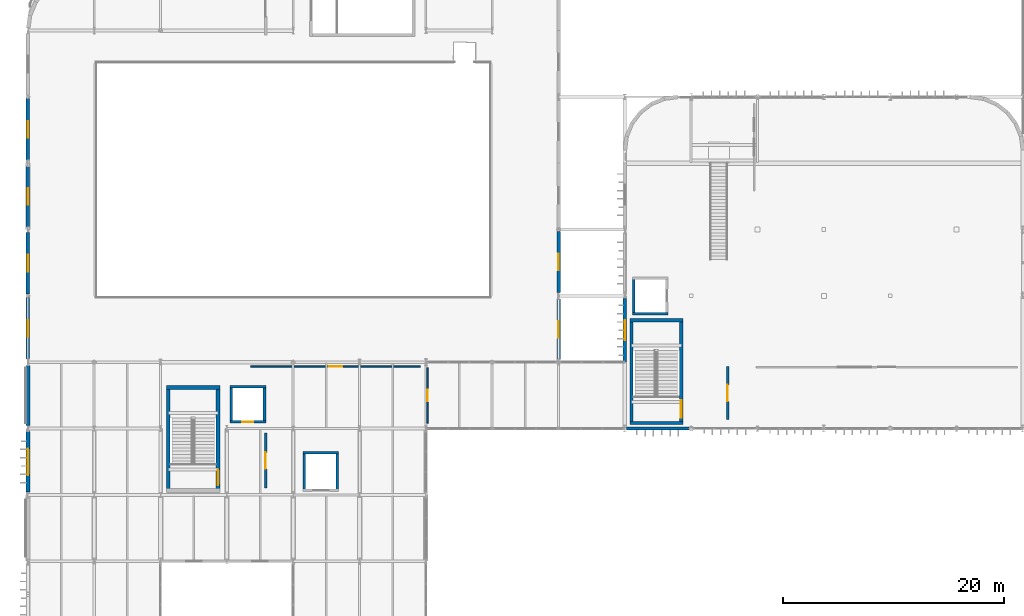
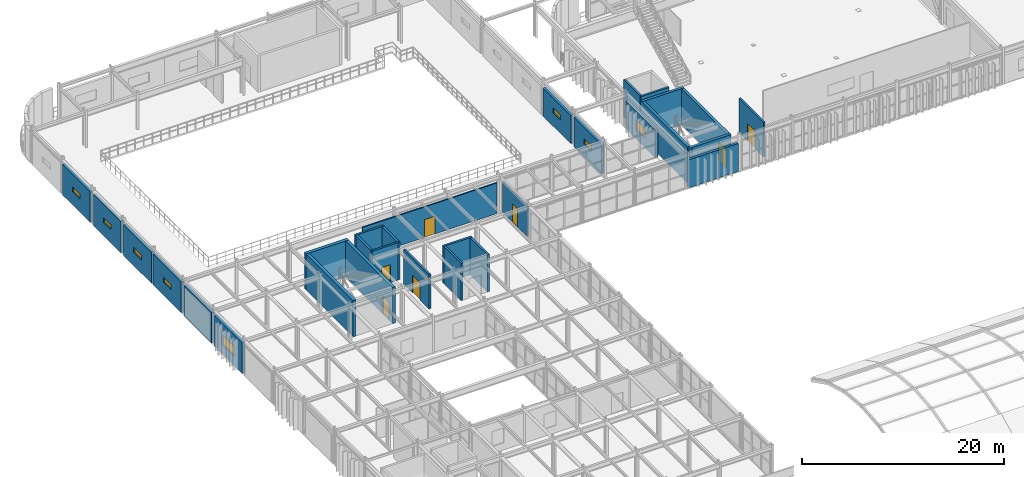
# One storey, part 58 of 84: 30 walls, 8 windows, 7 doors, 15 openings.
"""IFC4 building model written with IfcOpenShell, lengths in metres."""

import ifcopenshell
import ifcopenshell.guid

model = None  # the IFC model being written
_history = None  # IfcOwnerHistory: only IFC2X3 demands one
_inside = {}  # id of a spatial element -> (the spatial element, [elements in it])
_under = {}  # id of a project, library or spatial element -> (it, [spatial elements below it])
_declared = {}  # id of a project -> (the project, [libraries it declares])
_typed = {}  # id of a type object -> (the type object, [elements of that type])
_made_of = {}  # id of a material, layer set ... -> (it, [elements and type objects made of it])


def new_model(schema):
    """Start an empty IFC model of exactly this schema.

    Asked for "IFC4X3", IfcOpenShell would pick the latest addendum, in which some entities
    have other attributes; the version numbers below select the first issue.
    IFC2X3 requires an IfcOwnerHistory on every rooted entity: one is made here for all.
    """
    global model, _history
    if schema == "IFC4X3":
        model = ifcopenshell.file(schema_version=(4, 3, 0, 0))
    else:
        model = ifcopenshell.file(schema=schema)
    _inside.clear()
    _under.clear()
    _declared.clear()
    _typed.clear()
    _made_of.clear()
    _history = None
    if model.schema == "IFC2X3":
        org = make("IfcOrganization", Name="unknown")
        user = make(
            "IfcPersonAndOrganization",
            ThePerson=make("IfcPerson", FamilyName="unknown"),
            TheOrganization=org,
        )
        app = make(
            "IfcApplication",
            ApplicationDeveloper=org,
            Version="unknown",
            ApplicationFullName="unknown",
            ApplicationIdentifier="unknown",
        )
        _history = make(
            "IfcOwnerHistory",
            OwningUser=user,
            OwningApplication=app,
            ChangeAction="ADDED",
            CreationDate=0,
        )
    return model


def make(cls, **values):
    """One entity of the class cls with the attributes given. An attribute that is None is left unset."""
    return model.create_entity(
        cls, **{name: value for name, value in values.items() if value is not None}
    )


def rooted(cls, **values):
    """An entity with a GlobalId (a new one), such as an element, a storey or a relation."""
    return make(cls, GlobalId=ifcopenshell.guid.new(), OwnerHistory=_history, **values)


def si_unit(unit_type, name, prefix=None):
    """IfcSIUnit, for example si_unit("LENGTHUNIT", "METRE", prefix="MILLI")."""
    return make("IfcSIUnit", UnitType=unit_type, Prefix=prefix, Name=name)


def assignment(units):
    """IfcUnitAssignment: the units of a project."""
    return None if units is None else make("IfcUnitAssignment", Units=units)


def point(xyz):
    """IfcCartesianPoint."""
    return None if xyz is None else make("IfcCartesianPoint", Coordinates=xyz)


def direction(xyz):
    """IfcDirection."""
    return None if xyz is None else make("IfcDirection", DirectionRatios=xyz)


def frame(location, z_axis=None, x_axis=None):
    """IfcAxis2Placement3D, a coordinate frame: its origin and axes. An axis left out is left unset."""
    return make(
        "IfcAxis2Placement3D",
        Location=point(location),
        Axis=direction(z_axis),
        RefDirection=direction(x_axis),
    )


def frame_2d(location, x_axis=None):
    """IfcAxis2Placement2D, a coordinate frame in the plane: its origin and x axis."""
    return make(
        "IfcAxis2Placement2D", Location=point(location), RefDirection=direction(x_axis)
    )


def origin():
    """The frame at (0, 0, 0) with its axes left unset."""
    return frame((0.0, 0.0, 0.0))


def place(relative_to, where):
    """IfcLocalPlacement: puts the frame where relative to a parent placement (None: the world)."""
    return make(
        "IfcLocalPlacement", PlacementRelTo=relative_to, RelativePlacement=where
    )


def context(
    kind, dimensions, precision=None, world=None, true_north=None, identifier=None
):
    """IfcGeometricRepresentationContext, for example the 3D "Model" context."""
    return make(
        "IfcGeometricRepresentationContext",
        ContextIdentifier=identifier,
        ContextType=kind,
        CoordinateSpaceDimension=dimensions,
        Precision=precision,
        WorldCoordinateSystem=world,
        TrueNorth=true_north,
    )


def subcontext(parent, identifier, kind, view, scale=None):
    """IfcGeometricRepresentationSubContext, for example "Body" below "Model"."""
    return make(
        "IfcGeometricRepresentationSubContext",
        ContextIdentifier=identifier,
        ContextType=kind,
        ParentContext=parent,
        TargetScale=scale,
        TargetView=view,
    )


def project(units=None, contexts=None):
    """IfcProject with its units and contexts."""
    return rooted(
        "IfcProject",
        Name="project",
        RepresentationContexts=contexts,
        UnitsInContext=assignment(units),
    )


def spatial(cls, under=None, at=None, **own):
    """A site, building, storey or space (cls), placed at a placement, below another one or the project."""
    s = rooted(cls, ObjectPlacement=at, **own)
    if under is not None:
        _under.setdefault(under.id(), (under, []))[1].append(s)
    return s


def profile(cls, at=None, kind="AREA", **sizes):
    """A parametric profile (cls). Its sizes go by their IFC names, for example OverallWidth=200.0."""
    return make(cls, ProfileType=kind, Position=at, **sizes)


def rectangle(**sizes):
    """IfcRectangleProfileDef."""
    return profile("IfcRectangleProfileDef", **sizes)


def extrude(swept, where, along, depth):
    """IfcExtrudedAreaSolid: the profile swept, set in the frame where, extruded along a direction by depth."""
    return make(
        "IfcExtrudedAreaSolid",
        SweptArea=swept,
        Position=where,
        ExtrudedDirection=direction(along),
        Depth=depth,
    )


def shape(context_of_items, identifier, shape_type, items):
    """IfcShapeRepresentation: the items that make up one representation, for example the "Body"."""
    return make(
        "IfcShapeRepresentation",
        ContextOfItems=context_of_items,
        RepresentationIdentifier=identifier,
        RepresentationType=shape_type,
        Items=items,
    )


def material(Name=None, Category=None):
    """IfcMaterial."""
    return make("IfcMaterial", Name=Name, Category=Category)


def layer(
    of_material, thickness, ventilated=None, Name=None, Category=None, Priority=None
):
    """IfcMaterialLayer: one layer of a wall or slab, of a material (None: an air gap)."""
    return make(
        "IfcMaterialLayer",
        Material=of_material,
        LayerThickness=thickness,
        IsVentilated=ventilated,
        Name=Name,
        Category=Category,
        Priority=Priority,
    )


def layer_set(layers, Name=None):
    """IfcMaterialLayerSet."""
    return make("IfcMaterialLayerSet", MaterialLayers=layers, LayerSetName=Name)


def made_of(thing, what):
    """Note that an element or type object is made of a material, layer set ...; save() writes the relation."""
    if what is not None:
        _made_of.setdefault(what.id(), (what, []))[1].append(thing)
    return thing


def type_object(cls, material=None, **own):
    """A type object (cls), such as IfcWallType, which elements share."""
    return made_of(rooted(cls, **own), material)


def element(
    cls,
    number,
    at=None,
    inside=None,
    cuts=None,
    type_object=None,
    material=None,
    context=None,
    identifier="Body",
    shape_type=None,
    held_by="IfcProductDefinitionShape",
    body=None,
    shapes=None,
    **own,
):
    """One element of the class cls, such as IfcWall. Its Tag is "e" and its number.

    at: its placement. inside: the storey or other place that contains it. cuts: it is an
    opening in that element (IfcRelVoidsElement). A single representation is given by context,
    identifier, shape_type and body (its items); several are given by shapes. held_by: the class
    of the entity that holds the representations. save() writes the other relations.
    """
    e = rooted(cls, Tag="e%d" % number, ObjectPlacement=at, **own)
    if body is not None:
        shapes = [shape(context, identifier, shape_type, body)]
    if shapes is not None:
        e.Representation = make(held_by, Representations=shapes)
    if inside is not None:
        _inside.setdefault(inside.id(), (inside, []))[1].append(e)
    if cuts is not None:
        rooted(
            "IfcRelVoidsElement", RelatingBuildingElement=cuts, RelatedOpeningElement=e
        )
    if type_object is not None:
        _typed.setdefault(type_object.id(), (type_object, []))[1].append(e)
    return made_of(e, material)


def fill(opening, filler):
    """IfcRelFillsElement: the door or window that sits in an opening."""
    return rooted(
        "IfcRelFillsElement",
        RelatingOpeningElement=opening,
        RelatedBuildingElement=filler,
    )


def aggregate(whole, parts):
    """IfcRelAggregates: a whole, such as a stair, and the parts it consists of."""
    return rooted("IfcRelAggregates", RelatingObject=whole, RelatedObjects=parts)


def save(model, path):
    """Write the relations noted so far, then the file.

    IfcRelAggregates (storeys below a building ...), IfcRelContainedInSpatialStructure (elements
    in a storey), IfcRelDefinesByType, IfcRelAssociatesMaterial and IfcRelDeclares: one each for
    every whole, place, type object, material and project.
    """
    for whole, parts in _under.values():
        aggregate(whole, parts)
    for where, things in _inside.values():
        rooted(
            "IfcRelContainedInSpatialStructure",
            RelatedElements=things,
            RelatingStructure=where,
        )
    for kind, things in _typed.values():
        rooted("IfcRelDefinesByType", RelatedObjects=things, RelatingType=kind)
    for what, things in _made_of.values():
        rooted("IfcRelAssociatesMaterial", RelatedObjects=things, RelatingMaterial=what)
    for by, libraries in _declared.values():
        rooted("IfcRelDeclares", RelatingContext=by, RelatedDefinitions=libraries)
    model.write(path)


model = new_model("IFC4")

# Units and contexts
model_context = context("Model", 3, precision=1e-05, world=origin(), true_north=direction((0.0, 1.0)))
body_context = subcontext(model_context, "Body", "Model", "MODEL_VIEW")
ifc_project = project(units=[si_unit("LENGTHUNIT", "METRE"), si_unit("AREAUNIT", "SQUARE_METRE"), si_unit("VOLUMEUNIT", "CUBIC_METRE"), si_unit("PLANEANGLEUNIT", "RADIAN"), si_unit("MASSUNIT", "GRAM", prefix="KILO")], contexts=[model_context])

# Site, building, storey
site_placement = place(None, origin())
site = spatial("IfcSite", under=ifc_project, at=site_placement, CompositionType="ELEMENT")
building_placement = place(site_placement, origin())
building = spatial("IfcBuilding", under=site, at=building_placement, Name="Varnakota Square Police Headquarters", CompositionType="ELEMENT")
storey_placement = place(building_placement, frame((0.0, 0.0, 13.5)))
storey = spatial("IfcBuildingStorey", under=building, at=storey_placement, Name="L03", CompositionType="ELEMENT", Elevation=13.5)

# Wall, opening, door
ifc_material_1 = material(Name="Concrete M40", Category="concrete")
ifc_layer_1 = layer(ifc_material_1, 0.22998046875, Name="Concrete M40")
ifc_layer_set_1 = layer_set([ifc_layer_1], Name="Concrete M40")
wall_type_1 = type_object("IfcWallType", Name="WL-CORE-230", PredefinedType="SHEAR", material=ifc_layer_set_1)
wall_1_placement = place(storey_placement, frame((24.284912109375, 69.60009765625, 0.0), z_axis=(0.0, 0.0, 1.0), x_axis=(1.0, 0.0, 0.0)))
wall_1 = element("IfcWall", 1, at=wall_1_placement, inside=storey, type_object=wall_type_1, Name="Lift shaft wall LF-P3 L03 S", PredefinedType="SHEAR", context=body_context, shape_type="SweptSolid", body=[
    extrude(rectangle(XDim=3.22998046875, YDim=0.22998046875, at=frame_2d((1.614990234375, 0.0))), origin(), (0.0, 0.0, 1.0), 4.5),
])
opening_1_placement = place(wall_1_placement, frame((1.114990234375, 0.0, 0.0)))
opening_1 = element("IfcOpeningElement", 2, at=opening_1_placement, cuts=wall_1, Name="Opening LD035", PredefinedType="OPENING", context=body_context, shape_type="SweptSolid", body=[
    extrude(rectangle(XDim=1.0, YDim=2.14990234375, at=frame_2d((0.5, 1.074951171875))), frame((0.0, 0.125, 0.0), z_axis=(0.0, -1.0, 0.0), x_axis=(1.0, 0.0, 0.0)), (0.0, 0.0, 1.0), 0.25),
])
ifc_material_2 = material(Name="Brushed Grade 316 Stainless Steel", Category="steel")
door_type_1 = type_object("IfcDoorType", Name="DR-LD-PAX", OperationType="NOTDEFINED", PredefinedType="DOOR", material=ifc_material_2)
door_1_placement = place(opening_1_placement, origin())
door_1 = element("IfcDoor", 3, at=door_1_placement, inside=storey, type_object=door_type_1, Name="Lift sliding landing door LD035", OperationType="SLIDING_TO_LEFT", OverallHeight=2.14990234375, OverallWidth=1.0, PredefinedType="DOOR", context=body_context, shape_type="SweptSolid", body=[
    extrude(rectangle(XDim=1.0, YDim=2.14990234375, at=frame_2d((0.5, 1.074951171875))), frame((0.0, 0.02490234375, 0.0), z_axis=(0.0, -1.0, 0.0), x_axis=(1.0, 0.0, 0.0)), (0.0, 0.0, 1.0), 0.050048828125),
])
fill(opening_1, door_1)

# Walls
wall_2_placement = place(storey_placement, frame((27.39990234375, 69.485107421875, 0.0), z_axis=(0.0, 0.0, 1.0), x_axis=(0.0, 1.0, 0.0)))
element("IfcWall", 4, at=wall_2_placement, inside=storey, type_object=wall_type_1, Name="Lift shaft wall LF-P3 L03 E", PredefinedType="SHEAR", context=body_context, shape_type="SweptSolid", body=[
    extrude(rectangle(XDim=3.429931640625, YDim=0.22998046875, at=frame_2d((1.71484375, 0.0))), origin(), (0.0, 0.0, 1.0), 4.5),
])
wall_3_placement = place(storey_placement, frame((27.514892578125, 72.800048828125, 0.0), z_axis=(0.0, 0.0, 1.0), x_axis=(-1.0, 0.0, 0.0)))
element("IfcWall", 5, at=wall_3_placement, inside=storey, type_object=wall_type_1, Name="Lift shaft wall LF-P3 L03 N", PredefinedType="SHEAR", context=body_context, shape_type="SweptSolid", body=[
    extrude(rectangle(XDim=3.22998046875, YDim=0.22998046875, at=frame_2d((1.614990234375, 0.0))), origin(), (0.0, 0.0, 1.0), 4.5),
])
wall_4_placement = place(storey_placement, frame((24.39990234375, 72.9150390625, 0.0), z_axis=(0.0, 0.0, 1.0), x_axis=(0.0, -1.0, 0.0)))
element("IfcWall", 6, at=wall_4_placement, inside=storey, type_object=wall_type_1, Name="Lift shaft wall LF-P3 L03 W", PredefinedType="SHEAR", context=body_context, shape_type="SweptSolid", body=[
    extrude(rectangle(XDim=3.429931640625, YDim=0.22998046875, at=frame_2d((1.71484375, 0.0))), origin(), (0.0, 0.0, 1.0), 4.5),
])
wall_5_placement = place(storey_placement, frame((60.68505859375, 79.39990234375, 0.0), z_axis=(0.0, 0.0, 1.0), x_axis=(1.0, 0.0, 0.0)))
element("IfcWall", 7, at=wall_5_placement, inside=storey, type_object=wall_type_1, Name="Lift shaft wall LF-P4 L03 S", PredefinedType="SHEAR", context=body_context, shape_type="SweptSolid", body=[
    extrude(rectangle(XDim=3.22998046875, YDim=0.22998046875, at=frame_2d((1.614990234375, 0.0))), origin(), (0.0, 0.0, 1.0), 4.5),
])
wall_6_placement = place(storey_placement, frame((60.800048828125, 82.715087890625, 0.0), z_axis=(0.0, 0.0, 1.0), x_axis=(0.0, -1.0, 0.0)))
element("IfcWall", 8, at=wall_6_placement, inside=storey, type_object=wall_type_1, Name="Lift shaft wall LF-P4 L03 W", PredefinedType="SHEAR", context=body_context, shape_type="SweptSolid", body=[
    extrude(rectangle(XDim=3.43017578125, YDim=0.22998046875, at=frame_2d((1.715087890625, 0.0))), origin(), (0.0, 0.0, 1.0), 4.5),
])
wall_7_placement = place(storey_placement, frame((34.0, 63.284912109375, 0.0), z_axis=(0.0, 0.0, 1.0), x_axis=(0.0, 1.0, 0.0)))
element("IfcWall", 9, at=wall_7_placement, inside=storey, type_object=wall_type_1, Name="Lift shaft wall LF-G1 L03 E", PredefinedType="SHEAR", context=body_context, shape_type="SweptSolid", body=[
    extrude(rectangle(XDim=3.630126953125, YDim=0.22998046875, at=frame_2d((1.81494140625, 0.0))), origin(), (0.0, 0.0, 1.0), 4.5),
])
wall_8_placement = place(storey_placement, frame((34.114990234375, 66.800048828125, 0.0), z_axis=(0.0, 0.0, 1.0), x_axis=(-1.0, 0.0, 0.0)))
element("IfcWall", 10, at=wall_8_placement, inside=storey, type_object=wall_type_1, Name="Lift shaft wall LF-G1 L03 N", PredefinedType="SHEAR", context=body_context, shape_type="SweptSolid", body=[
    extrude(rectangle(XDim=3.22998046875, YDim=0.22998046875, at=frame_2d((1.614990234375, 0.0))), origin(), (0.0, 0.0, 1.0), 4.5),
])
wall_9_placement = place(storey_placement, frame((31.0, 66.9150390625, 0.0), z_axis=(0.0, 0.0, 1.0), x_axis=(0.0, -1.0, 0.0)))
element("IfcWall", 11, at=wall_9_placement, inside=storey, type_object=wall_type_1, Name="Lift shaft wall LF-G1 L03 W", PredefinedType="SHEAR", context=body_context, shape_type="SweptSolid", body=[
    extrude(rectangle(XDim=3.630126953125, YDim=0.22998046875, at=frame_2d((1.81494140625, 0.0))), origin(), (0.0, 0.0, 1.0), 4.5),
])
ifc_material_3 = material(Name="Concrete M50", Category="concrete")
ifc_layer_2 = layer(ifc_material_3, 0.31005859375, Name="Concrete M50")
ifc_layer_set_2 = layer_set([ifc_layer_2], Name="Concrete M50")
wall_type_2 = type_object("IfcWallType", Name="WL-CORE-310", PredefinedType="SHEAR", material=ifc_layer_set_2)
wall_10_placement = place(storey_placement, frame((60.445068359375, 69.5, 0.0), z_axis=(0.0, 0.0, 1.0), x_axis=(1.0, 0.0, 0.0)))
element("IfcWall", 12, at=wall_10_placement, inside=storey, type_object=wall_type_2, Name="Core C6 shear wall L03 S", PredefinedType="SHEAR", context=body_context, shape_type="SweptSolid", body=[
    extrude(rectangle(XDim=4.809814453125, YDim=0.31005859375, at=frame_2d((2.40478515625, 0.0))), origin(), (0.0, 0.0, 1.0), 4.360107421875),
])

# Wall, opening, door
wall_11_placement = place(storey_placement, frame((65.10009765625, 69.344970703125, 0.0), z_axis=(0.0, 0.0, 1.0), x_axis=(0.0, 1.0, 0.0)))
wall_11 = element("IfcWall", 13, at=wall_11_placement, inside=storey, type_object=wall_type_2, Name="Core C6 shear wall L03 E", PredefinedType="SHEAR", context=body_context, shape_type="SweptSolid", body=[
    extrude(rectangle(XDim=9.610107421875, YDim=0.31005859375, at=frame_2d((4.80517578125, 0.0))), origin(), (0.0, 0.0, 1.0), 4.360107421875),
])
opening_2_placement = place(wall_11_placement, frame((0.635009765625, 0.0, 0.0)))
opening_2 = element("IfcOpeningElement", 14, at=opening_2_placement, cuts=wall_11, Name="Opening SD095", PredefinedType="OPENING", context=body_context, shape_type="SweptSolid", body=[
    extrude(rectangle(XDim=1.60009765625, YDim=2.199951171875, at=frame_2d((0.800048828125, 1.10009765625))), frame((0.0, 0.1650390625, 0.0), z_axis=(0.0, -1.0, 0.0), x_axis=(1.0, 0.0, 0.0)), (0.0, 0.0, 1.0), 0.330078125),
])
ifc_material_4 = material(Name="Powder-Coated Galvanised Steel", Category="steel")
door_type_2 = type_object("IfcDoorType", Name="DR-ST-160", OperationType="NOTDEFINED", PredefinedType="DOOR", material=ifc_material_4)
door_2_placement = place(opening_2_placement, origin())
door_2 = element("IfcDoor", 15, at=door_2_placement, inside=storey, type_object=door_type_2, Name="Protected stair door SD095", OperationType="DOUBLE_DOOR_SINGLE_SWING", OverallHeight=2.199951171875, OverallWidth=1.60009765625, PredefinedType="DOOR", context=body_context, shape_type="SweptSolid", body=[
    extrude(rectangle(XDim=1.60009765625, YDim=2.199951171875, at=frame_2d((0.800048828125, 1.10009765625))), frame((0.0, 0.02490234375, 0.0), z_axis=(0.0, -1.0, 0.0), x_axis=(1.0, 0.0, 0.0)), (0.0, 0.0, 1.0), 0.050048828125),
])
fill(opening_2, door_2)

# Walls
wall_12_placement = place(storey_placement, frame((65.2548828125, 78.800048828125, 0.0), z_axis=(0.0, 0.0, 1.0), x_axis=(-1.0, 0.0, 0.0)))
element("IfcWall", 16, at=wall_12_placement, inside=storey, type_object=wall_type_2, Name="Core C6 shear wall L03 N", PredefinedType="SHEAR", context=body_context, shape_type="SweptSolid", body=[
    extrude(rectangle(XDim=4.809814453125, YDim=0.31005859375, at=frame_2d((2.40478515625, 0.0))), origin(), (0.0, 0.0, 1.0), 4.360107421875),
])
wall_13_placement = place(storey_placement, frame((60.60009765625, 78.955078125, 0.0), z_axis=(0.0, 0.0, 1.0), x_axis=(0.0, -1.0, 0.0)))
element("IfcWall", 17, at=wall_13_placement, inside=storey, type_object=wall_type_2, Name="Core C6 shear wall L03 W", PredefinedType="SHEAR", context=body_context, shape_type="SweptSolid", body=[
    extrude(rectangle(XDim=9.610107421875, YDim=0.31005859375, at=frame_2d((4.80517578125, 0.0))), origin(), (0.0, 0.0, 1.0), 4.360107421875),
])

# Wall, opening, door
ifc_layer_3 = layer(ifc_material_3, 0.35009765625, Name="Concrete M50")
ifc_layer_set_3 = layer_set([ifc_layer_3], Name="Concrete M50")
wall_type_3 = type_object("IfcWallType", Name="WL-CORE-350", PredefinedType="SHEAR", material=ifc_layer_set_3)
wall_14_placement = place(storey_placement, frame((23.199951171875, 63.22509765625, 0.0), z_axis=(0.0, 0.0, 1.0), x_axis=(0.0, 1.0, 0.0)))
wall_14 = element("IfcWall", 18, at=wall_14_placement, inside=storey, type_object=wall_type_3, Name="Core C5 shear wall L03 E", PredefinedType="SHEAR", context=body_context, shape_type="SweptSolid", body=[
    extrude(rectangle(XDim=9.64990234375, YDim=0.35009765625, at=frame_2d((4.824951171875, 0.0))), origin(), (0.0, 0.0, 1.0), 4.360107421875),
])
opening_3_placement = place(wall_14_placement, frame((0.655029296875, 0.0, 0.0)))
opening_3 = element("IfcOpeningElement", 19, at=opening_3_placement, cuts=wall_14, Name="Opening SD081", PredefinedType="OPENING", context=body_context, shape_type="SweptSolid", body=[
    extrude(rectangle(XDim=1.39990234375, YDim=2.199951171875, at=frame_2d((0.699951171875, 1.10009765625))), frame((0.0, 0.18505859375, 0.0), z_axis=(0.0, -1.0, 0.0), x_axis=(1.0, 0.0, 0.0)), (0.0, 0.0, 1.0), 0.3701171875),
])
door_type_3 = type_object("IfcDoorType", Name="DR-ST-140", OperationType="NOTDEFINED", PredefinedType="DOOR", material=ifc_material_4)
door_3_placement = place(opening_3_placement, origin())
door_3 = element("IfcDoor", 20, at=door_3_placement, inside=storey, type_object=door_type_3, Name="Protected stair door SD081", OperationType="DOUBLE_DOOR_SINGLE_SWING", OverallHeight=2.199951171875, OverallWidth=1.39990234375, PredefinedType="DOOR", context=body_context, shape_type="SweptSolid", body=[
    extrude(rectangle(XDim=1.39990234375, YDim=2.199951171875, at=frame_2d((0.699951171875, 1.10009765625))), frame((0.0, 0.02490234375, 0.0), z_axis=(0.0, -1.0, 0.0), x_axis=(1.0, 0.0, 0.0)), (0.0, 0.0, 1.0), 0.050048828125),
])
fill(opening_3, door_3)

# Walls
wall_15_placement = place(storey_placement, frame((23.375, 72.699951171875, 0.0), z_axis=(0.0, 0.0, 1.0), x_axis=(-1.0, 0.0, 0.0)))
element("IfcWall", 21, at=wall_15_placement, inside=storey, type_object=wall_type_3, Name="Core C5 shear wall L03 N", PredefinedType="SHEAR", context=body_context, shape_type="SweptSolid", body=[
    extrude(rectangle(XDim=4.85009765625, YDim=0.35009765625, at=frame_2d((2.425048828125, 0.0))), origin(), (0.0, 0.0, 1.0), 4.360107421875),
])
wall_16_placement = place(storey_placement, frame((18.699951171875, 72.875, 0.0), z_axis=(0.0, 0.0, 1.0), x_axis=(0.0, -1.0, 0.0)))
element("IfcWall", 22, at=wall_16_placement, inside=storey, type_object=wall_type_3, Name="Core C5 shear wall L03 W", PredefinedType="SHEAR", context=body_context, shape_type="SweptSolid", body=[
    extrude(rectangle(XDim=9.64990234375, YDim=0.35009765625, at=frame_2d((4.824951171875, 0.0))), origin(), (0.0, 0.0, 1.0), 4.360107421875),
])
ifc_layer_4 = layer(ifc_material_1, 0.280029296875, Name="Concrete M40")
ifc_layer_set_4 = layer_set([ifc_layer_4], Name="Concrete M40")
wall_type_4 = type_object("IfcWallType", Name="WL-EXT-280", PredefinedType="SOLIDWALL", material=ifc_layer_set_4)
wall_17_placement = place(storey_placement, frame((60.12890625, 69.0, 0.0), z_axis=(0.0, 0.0, 1.0), x_axis=(1.0, 0.0, 0.0)))
element("IfcWall", 23, at=wall_17_placement, inside=storey, type_object=wall_type_4, Name="Exterior wall EW-L03-0520", PredefinedType="SOLIDWALL", context=body_context, shape_type="SweptSolid", body=[
    extrude(rectangle(XDim=5.663818359375, YDim=0.280029296875, at=frame_2d((2.83203125, 0.0))), origin(), (0.0, 0.0, 1.0), 3.389892578125),
])

# Wall, opening, window
ifc_material_5 = material(Name="Precast concrete M40", Category="concrete")
ifc_layer_5 = layer(ifc_material_5, 0.320068359375, Name="Precast concrete M40")
ifc_layer_set_5 = layer_set([ifc_layer_5], Name="Precast concrete M40")
wall_type_5 = type_object("IfcWallType", Name="WL-EXT-320", PredefinedType="SOLIDWALL", material=ifc_layer_set_5)
wall_18_placement = place(storey_placement, frame((60.0, 75.0, 0.0), z_axis=(0.0, 0.0, 1.0), x_axis=(0.0, 1.0, 0.0)))
wall_18 = element("IfcWall", 24, at=wall_18_placement, inside=storey, type_object=wall_type_5, Name="Exterior wall EW-L03-0521", PredefinedType="SOLIDWALL", context=body_context, shape_type="SweptSolid", body=[
    extrude(rectangle(XDim=5.77099609375, YDim=0.320068359375, at=frame_2d((2.885498046875, 0.0))), origin(), (0.0, 0.0, 1.0), 3.389892578125),
])
opening_4_placement = place(wall_18_placement, frame((1.985595703125, 0.0, 1.10009765625)))
opening_4 = element("IfcOpeningElement", 25, at=opening_4_placement, cuts=wall_18, Name="Opening W05", PredefinedType="OPENING", context=body_context, shape_type="SweptSolid", body=[
    extrude(rectangle(XDim=1.800048828125, YDim=1.199951171875, at=frame_2d((0.89990234375, 0.60009765625))), frame((0.0, 0.169921875, 0.0), z_axis=(0.0, -1.0, 0.0), x_axis=(1.0, 0.0, 0.0)), (0.0, 0.0, 1.0), 0.340087890625),
])
ifc_material_6 = material(Name="Thermally Broken Aluminium Double-Glazed Window", Category="aluminium")
window_type_1 = type_object("IfcWindowType", Name="WIN-05", PartitioningType="SINGLE_PANEL", PredefinedType="WINDOW", material=ifc_material_6)
window_1_placement = place(opening_4_placement, origin())
window_1 = element("IfcWindow", 26, at=window_1_placement, inside=storey, type_object=window_type_1, Name="Window WN-L03-0121", OverallHeight=1.199951171875, OverallWidth=1.800048828125, PartitioningType="SINGLE_PANEL", PredefinedType="WINDOW", context=body_context, shape_type="SweptSolid", body=[
    extrude(rectangle(XDim=1.800048828125, YDim=1.199951171875, at=frame_2d((0.89990234375, 0.60009765625))), frame((0.0, 0.030029296875, 0.0), z_axis=(0.0, -1.0, 0.0), x_axis=(1.0, 0.0, 0.0)), (0.0, 0.0, 1.0), 0.06005859375),
])
fill(opening_4, window_1)

wall_19_placement = place(storey_placement, frame((6.0, 75.303955078125, 0.0), z_axis=(0.0, 0.0, 1.0), x_axis=(0.0, 1.0, 0.0)))
wall_19 = element("IfcWall", 27, at=wall_19_placement, inside=storey, type_object=wall_type_5, Name="Exterior wall EW-L03-0627", PredefinedType="SOLIDWALL", context=body_context, shape_type="SweptSolid", body=[
    extrude(rectangle(XDim=5.530029296875, YDim=0.320068359375, at=frame_2d((2.76513671875, 0.0))), origin(), (0.0, 0.0, 1.0), 3.739990234375),
])
opening_5_placement = place(wall_19_placement, frame((2.01513671875, 0.0, 1.60009765625)))
opening_5 = element("IfcOpeningElement", 28, at=opening_5_placement, cuts=wall_19, Name="Opening W14", PredefinedType="OPENING", context=body_context, shape_type="SweptSolid", body=[
    extrude(rectangle(XDim=1.5, YDim=0.60009765625, at=frame_2d((0.75, 0.300048828125))), frame((0.0, 0.169921875, 0.0), z_axis=(0.0, -1.0, 0.0), x_axis=(1.0, 0.0, 0.0)), (0.0, 0.0, 1.0), 0.340087890625),
])
window_type_2 = type_object("IfcWindowType", Name="WIN-14", PartitioningType="SINGLE_PANEL", PredefinedType="WINDOW", material=ifc_material_6)
window_2_placement = place(opening_5_placement, origin())
window_2 = element("IfcWindow", 29, at=window_2_placement, inside=storey, type_object=window_type_2, Name="Window WN-L03-0145", OverallHeight=0.60009765625, OverallWidth=1.5, PartitioningType="SINGLE_PANEL", PredefinedType="WINDOW", context=body_context, shape_type="SweptSolid", body=[
    extrude(rectangle(XDim=1.5, YDim=0.60009765625, at=frame_2d((0.75, 0.300048828125))), frame((0.0, 0.030029296875, 0.0), z_axis=(0.0, -1.0, 0.0), x_axis=(1.0, 0.0, 0.0)), (0.0, 0.0, 1.0), 0.06005859375),
])
fill(opening_5, window_2)

wall_20_placement = place(storey_placement, frame((6.0, 81.166015625, 0.0), z_axis=(0.0, 0.0, 1.0), x_axis=(0.0, 1.0, 0.0)))
wall_20 = element("IfcWall", 30, at=wall_20_placement, inside=storey, type_object=wall_type_5, Name="Exterior wall EW-L03-0628", PredefinedType="SOLIDWALL", context=body_context, shape_type="SweptSolid", body=[
    extrude(rectangle(XDim=5.580078125, YDim=0.320068359375, at=frame_2d((2.7900390625, 0.0))), origin(), (0.0, 0.0, 1.0), 3.739990234375),
])
opening_6_placement = place(wall_20_placement, frame((2.0400390625, 0.0, 1.60009765625)))
opening_6 = element("IfcOpeningElement", 31, at=opening_6_placement, cuts=wall_20, Name="Opening W14", PredefinedType="OPENING", context=body_context, shape_type="SweptSolid", body=[
    extrude(rectangle(XDim=1.5, YDim=0.60009765625, at=frame_2d((0.75, 0.300048828125))), frame((0.0, 0.169921875, 0.0), z_axis=(0.0, -1.0, 0.0), x_axis=(1.0, 0.0, 0.0)), (0.0, 0.0, 1.0), 0.340087890625),
])
window_3_placement = place(opening_6_placement, origin())
window_3 = element("IfcWindow", 32, at=window_3_placement, inside=storey, type_object=window_type_2, Name="Window WN-L03-0146", OverallHeight=0.60009765625, OverallWidth=1.5, PartitioningType="SINGLE_PANEL", PredefinedType="WINDOW", context=body_context, shape_type="SweptSolid", body=[
    extrude(rectangle(XDim=1.5, YDim=0.60009765625, at=frame_2d((0.75, 0.300048828125))), frame((0.0, 0.030029296875, 0.0), z_axis=(0.0, -1.0, 0.0), x_axis=(1.0, 0.0, 0.0)), (0.0, 0.0, 1.0), 0.06005859375),
])
fill(opening_6, window_3)

wall_21_placement = place(storey_placement, frame((6.0, 87.25390625, 0.0), z_axis=(0.0, 0.0, 1.0), x_axis=(0.0, 1.0, 0.0)))
wall_21 = element("IfcWall", 33, at=wall_21_placement, inside=storey, type_object=wall_type_5, Name="Exterior wall EW-L03-0629", PredefinedType="SOLIDWALL", context=body_context, shape_type="SweptSolid", body=[
    extrude(rectangle(XDim=5.442138671875, YDim=0.320068359375, at=frame_2d((2.72119140625, 0.0))), origin(), (0.0, 0.0, 1.0), 3.78369140625),
])
opening_7_placement = place(wall_21_placement, frame((1.970947265625, 0.0, 1.60009765625)))
opening_7 = element("IfcOpeningElement", 34, at=opening_7_placement, cuts=wall_21, Name="Opening W14", PredefinedType="OPENING", context=body_context, shape_type="SweptSolid", body=[
    extrude(rectangle(XDim=1.5, YDim=0.60009765625, at=frame_2d((0.75, 0.300048828125))), frame((0.0, 0.169921875, 0.0), z_axis=(0.0, -1.0, 0.0), x_axis=(1.0, 0.0, 0.0)), (0.0, 0.0, 1.0), 0.340087890625),
])
window_4_placement = place(opening_7_placement, origin())
window_4 = element("IfcWindow", 35, at=window_4_placement, inside=storey, type_object=window_type_2, Name="Window WN-L03-0147", OverallHeight=0.60009765625, OverallWidth=1.5, PartitioningType="SINGLE_PANEL", PredefinedType="WINDOW", context=body_context, shape_type="SweptSolid", body=[
    extrude(rectangle(XDim=1.5, YDim=0.60009765625, at=frame_2d((0.75, 0.300048828125))), frame((0.0, 0.030029296875, 0.0), z_axis=(0.0, -1.0, 0.0), x_axis=(1.0, 0.0, 0.0)), (0.0, 0.0, 1.0), 0.06005859375),
])
fill(opening_7, window_4)

wall_22_placement = place(storey_placement, frame((6.0, 93.303955078125, 0.0), z_axis=(0.0, 0.0, 1.0), x_axis=(0.0, 1.0, 0.0)))
wall_22 = element("IfcWall", 36, at=wall_22_placement, inside=storey, type_object=wall_type_5, Name="Exterior wall EW-L03-0630", PredefinedType="SOLIDWALL", context=body_context, shape_type="SweptSolid", body=[
    extrude(rectangle(XDim=5.530029296875, YDim=0.320068359375, at=frame_2d((2.76513671875, 0.0))), origin(), (0.0, 0.0, 1.0), 3.68994140625),
])
opening_8_placement = place(wall_22_placement, frame((2.01513671875, 0.0, 1.60009765625)))
opening_8 = element("IfcOpeningElement", 37, at=opening_8_placement, cuts=wall_22, Name="Opening W14", PredefinedType="OPENING", context=body_context, shape_type="SweptSolid", body=[
    extrude(rectangle(XDim=1.5, YDim=0.60009765625, at=frame_2d((0.75, 0.300048828125))), frame((0.0, 0.169921875, 0.0), z_axis=(0.0, -1.0, 0.0), x_axis=(1.0, 0.0, 0.0)), (0.0, 0.0, 1.0), 0.340087890625),
])
window_5_placement = place(opening_8_placement, origin())
window_5 = element("IfcWindow", 38, at=window_5_placement, inside=storey, type_object=window_type_2, Name="Window WN-L03-0148", OverallHeight=0.60009765625, OverallWidth=1.5, PartitioningType="SINGLE_PANEL", PredefinedType="WINDOW", context=body_context, shape_type="SweptSolid", body=[
    extrude(rectangle(XDim=1.5, YDim=0.60009765625, at=frame_2d((0.75, 0.300048828125))), frame((0.0, 0.030029296875, 0.0), z_axis=(0.0, -1.0, 0.0), x_axis=(1.0, 0.0, 0.0)), (0.0, 0.0, 1.0), 0.06005859375),
])
fill(opening_8, window_5)

wall_23_placement = place(storey_placement, frame((54.0, 75.25390625, 0.0), z_axis=(0.0, 0.0, 1.0), x_axis=(0.0, 1.0, 0.0)))
wall_23 = element("IfcWall", 39, at=wall_23_placement, inside=storey, type_object=wall_type_5, Name="Exterior wall EW-L03-0639", PredefinedType="SOLIDWALL", context=body_context, shape_type="SweptSolid", body=[
    extrude(rectangle(XDim=5.442138671875, YDim=0.320068359375, at=frame_2d((2.72119140625, 0.0))), origin(), (0.0, 0.0, 1.0), 3.590087890625),
])
opening_9_placement = place(wall_23_placement, frame((1.970947265625, 0.0, 1.60009765625)))
opening_9 = element("IfcOpeningElement", 40, at=opening_9_placement, cuts=wall_23, Name="Opening W14", PredefinedType="OPENING", context=body_context, shape_type="SweptSolid", body=[
    extrude(rectangle(XDim=1.5, YDim=0.60009765625, at=frame_2d((0.75, 0.300048828125))), frame((0.0, 0.169921875, 0.0), z_axis=(0.0, -1.0, 0.0), x_axis=(1.0, 0.0, 0.0)), (0.0, 0.0, 1.0), 0.340087890625),
])
window_6_placement = place(opening_9_placement, origin())
window_6 = element("IfcWindow", 41, at=window_6_placement, inside=storey, type_object=window_type_2, Name="Window WN-L03-0157", OverallHeight=0.60009765625, OverallWidth=1.5, PartitioningType="SINGLE_PANEL", PredefinedType="WINDOW", context=body_context, shape_type="SweptSolid", body=[
    extrude(rectangle(XDim=1.5, YDim=0.60009765625, at=frame_2d((0.75, 0.300048828125))), frame((0.0, 0.030029296875, 0.0), z_axis=(0.0, -1.0, 0.0), x_axis=(1.0, 0.0, 0.0)), (0.0, 0.0, 1.0), 0.06005859375),
])
fill(opening_9, window_6)

wall_24_placement = place(storey_placement, frame((54.0, 81.303955078125, 0.0), z_axis=(0.0, 0.0, 1.0), x_axis=(0.0, 1.0, 0.0)))
wall_24 = element("IfcWall", 42, at=wall_24_placement, inside=storey, type_object=wall_type_5, Name="Exterior wall EW-L03-0640", PredefinedType="SOLIDWALL", context=body_context, shape_type="SweptSolid", body=[
    extrude(rectangle(XDim=5.530029296875, YDim=0.320068359375, at=frame_2d((2.76513671875, 0.0))), origin(), (0.0, 0.0, 1.0), 3.389892578125),
])
opening_10_placement = place(wall_24_placement, frame((2.01513671875, 0.0, 1.60009765625)))
opening_10 = element("IfcOpeningElement", 43, at=opening_10_placement, cuts=wall_24, Name="Opening W14", PredefinedType="OPENING", context=body_context, shape_type="SweptSolid", body=[
    extrude(rectangle(XDim=1.5, YDim=0.60009765625, at=frame_2d((0.75, 0.300048828125))), frame((0.0, 0.169921875, 0.0), z_axis=(0.0, -1.0, 0.0), x_axis=(1.0, 0.0, 0.0)), (0.0, 0.0, 1.0), 0.340087890625),
])
window_7_placement = place(opening_10_placement, origin())
window_7 = element("IfcWindow", 44, at=window_7_placement, inside=storey, type_object=window_type_2, Name="Window WN-L03-0158", OverallHeight=0.60009765625, OverallWidth=1.5, PartitioningType="SINGLE_PANEL", PredefinedType="WINDOW", context=body_context, shape_type="SweptSolid", body=[
    extrude(rectangle(XDim=1.5, YDim=0.60009765625, at=frame_2d((0.75, 0.300048828125))), frame((0.0, 0.030029296875, 0.0), z_axis=(0.0, -1.0, 0.0), x_axis=(1.0, 0.0, 0.0)), (0.0, 0.0, 1.0), 0.06005859375),
])
fill(opening_10, window_7)

ifc_layer_6 = layer(ifc_material_1, 0.340087890625, Name="Concrete M40")
ifc_layer_set_6 = layer_set([ifc_layer_6], Name="Concrete M40")
wall_type_6 = type_object("IfcWallType", Name="WL-EXT-340", PredefinedType="SOLIDWALL", material=ifc_layer_set_6)
wall_25_placement = place(storey_placement, frame((6.0, 63.25390625, 0.0), z_axis=(0.0, 0.0, 1.0), x_axis=(0.0, 1.0, 0.0)))
wall_25 = element("IfcWall", 45, at=wall_25_placement, inside=storey, type_object=wall_type_6, Name="Exterior wall EW-L03-0434", PredefinedType="SOLIDWALL", context=body_context, shape_type="SweptSolid", body=[
    extrude(rectangle(XDim=5.467041015625, YDim=0.340087890625, at=frame_2d((2.7333984375, 0.0))), origin(), (0.0, 0.0, 1.0), 3.68994140625),
])
opening_11_placement = place(wall_25_placement, frame((1.533447265625, 0.0, 1.10009765625)))
opening_11 = element("IfcOpeningElement", 46, at=opening_11_placement, cuts=wall_25, Name="Opening W06", PredefinedType="OPENING", context=body_context, shape_type="SweptSolid", body=[
    extrude(rectangle(XDim=2.39990234375, YDim=1.199951171875, at=frame_2d((1.199951171875, 0.60009765625))), frame((0.0, 0.179931640625, 0.0), z_axis=(0.0, -1.0, 0.0), x_axis=(1.0, 0.0, 0.0)), (0.0, 0.0, 1.0), 0.360107421875),
])
window_type_3 = type_object("IfcWindowType", Name="WIN-06", PartitioningType="SINGLE_PANEL", PredefinedType="WINDOW", material=ifc_material_6)
window_8_placement = place(opening_11_placement, origin())
window_8 = element("IfcWindow", 47, at=window_8_placement, inside=storey, type_object=window_type_3, Name="Window WN-L03-0091", OverallHeight=1.199951171875, OverallWidth=2.39990234375, PartitioningType="SINGLE_PANEL", PredefinedType="WINDOW", context=body_context, shape_type="SweptSolid", body=[
    extrude(rectangle(XDim=2.39990234375, YDim=1.199951171875, at=frame_2d((1.199951171875, 0.60009765625))), frame((0.0, 0.030029296875, 0.0), z_axis=(0.0, -1.0, 0.0), x_axis=(1.0, 0.0, 0.0)), (0.0, 0.0, 1.0), 0.06005859375),
])
fill(opening_11, window_8)

# Wall
wall_26_placement = place(storey_placement, frame((6.0, 69.279052734375, 0.0), z_axis=(0.0, 0.0, 1.0), x_axis=(0.0, 1.0, 0.0)))
element("IfcWall", 48, at=wall_26_placement, inside=storey, type_object=wall_type_6, Name="Exterior wall EW-L03-0435", PredefinedType="SOLIDWALL", context=body_context, shape_type="SweptSolid", body=[
    extrude(rectangle(XDim=5.4169921875, YDim=0.340087890625, at=frame_2d((2.70849609375, 0.0))), origin(), (0.0, 0.0, 1.0), 3.68994140625),
])

# Wall, opening, door
ifc_material_7 = material(Name="Acoustic Insulated Metal-Stud Partition", Category="gypsum")
ifc_layer_7 = layer(ifc_material_7, 0.139892578125, Name="Acoustic Insulated Metal-Stud Partition")
ifc_layer_set_7 = layer_set([ifc_layer_7], Name="Acoustic Insulated Metal-Stud Partition")
wall_type_7 = type_object("IfcWallType", Name="WL-PRT-140", PredefinedType="PARTITIONING", material=ifc_layer_set_7)
wall_27_placement = place(storey_placement, frame((42.14990234375, 69.5, 0.0), z_axis=(0.0, 0.0, 1.0), x_axis=(0.0, 1.0, 0.0)))
wall_27 = element("IfcWall", 49, at=wall_27_placement, inside=storey, type_object=wall_type_7, Name="Interior partition PW-L03-0171 (Third Floor Command Link Bridge)", PredefinedType="PARTITIONING", context=body_context, shape_type="SweptSolid", body=[
    extrude(rectangle(XDim=5.0, YDim=0.139892578125, at=frame_2d((2.5, 0.0))), origin(), (0.0, 0.0, 1.0), 3.68994140625),
])
opening_12_placement = place(wall_27_placement, frame((1.97509765625, 0.0, 0.0)))
opening_12 = element("IfcOpeningElement", 50, at=opening_12_placement, cuts=wall_27, Name="Opening D247", PredefinedType="OPENING", context=body_context, shape_type="SweptSolid", body=[
    extrude(rectangle(XDim=1.050048828125, YDim=2.199951171875, at=frame_2d((0.52490234375, 1.10009765625))), frame((0.0, 0.079833984375, 0.0), z_axis=(0.0, -1.0, 0.0), x_axis=(1.0, 0.0, 0.0)), (0.0, 0.0, 1.0), 0.159912109375),
])
ifc_material_8 = material(Name="Anodised Aluminium and Laminated Acoustic Glass", Category="aluminium")
door_type_4 = type_object("IfcDoorType", Name="DR-OFF-105", OperationType="NOTDEFINED", PredefinedType="DOOR", material=ifc_material_8)
door_4_placement = place(opening_12_placement, origin())
door_4 = element("IfcDoor", 51, at=door_4_placement, inside=storey, type_object=door_type_4, Name="Room door D247 (Third Floor Command Link Bridge)", OperationType="SINGLE_SWING_LEFT", OverallHeight=2.199951171875, OverallWidth=1.050048828125, PredefinedType="DOOR", context=body_context, shape_type="SweptSolid", body=[
    extrude(rectangle(XDim=1.050048828125, YDim=2.199951171875, at=frame_2d((0.52490234375, 1.10009765625))), frame((0.0, 0.02490234375, 0.0), z_axis=(0.0, -1.0, 0.0), x_axis=(1.0, 0.0, 0.0)), (0.0, 0.0, 1.0), 0.050048828125),
])
fill(opening_12, door_4)

ifc_material_9 = material(Name="Fire-Rated Double Gypsum Stud Partition", Category="gypsum")
ifc_layer_8 = layer(ifc_material_9, 0.14990234375, Name="Fire-Rated Double Gypsum Stud Partition")
ifc_layer_set_8 = layer_set([ifc_layer_8], Name="Fire-Rated Double Gypsum Stud Partition")
wall_type_8 = type_object("IfcWallType", Name="WL-PRT-150F", PredefinedType="PARTITIONING", material=ifc_layer_set_8)
wall_28_placement = place(storey_placement, frame((26.139892578125, 74.60009765625, 0.0), z_axis=(0.0, 0.0, 1.0), x_axis=(1.0, 0.0, 0.0)))
wall_28 = element("IfcWall", 52, at=wall_28_placement, inside=storey, type_object=wall_type_8, Name="Interior partition PW-L03-0173 (Ballistics Forensic Laboratory)", PredefinedType="PARTITIONING", context=body_context, shape_type="SweptSolid", body=[
    extrude(rectangle(XDim=15.360107421875, YDim=0.14990234375, at=frame_2d((7.68017578125, 0.0))), origin(), (0.0, 0.0, 1.0), 3.68994140625),
])
opening_13_placement = place(wall_28_placement, frame((7.080078125, 0.0, 0.0)))
opening_13 = element("IfcOpeningElement", 53, at=opening_13_placement, cuts=wall_28, Name="Opening D249", PredefinedType="OPENING", context=body_context, shape_type="SweptSolid", body=[
    extrude(rectangle(XDim=1.199951171875, YDim=2.14990234375, at=frame_2d((0.60009765625, 1.074951171875))), frame((0.0, 0.0849609375, 0.0), z_axis=(0.0, -1.0, 0.0), x_axis=(1.0, 0.0, 0.0)), (0.0, 0.0, 1.0), 0.169921875),
])
ifc_material_10 = material(Name="Phenolic-Faced Fire-Rated Composite")
door_type_5 = type_object("IfcDoorType", Name="DR-LAB-120", OperationType="NOTDEFINED", PredefinedType="DOOR", material=ifc_material_10)
door_5_placement = place(opening_13_placement, origin())
door_5 = element("IfcDoor", 54, at=door_5_placement, inside=storey, type_object=door_type_5, Name="Room door D249 (Ballistics Forensic Laboratory)", OperationType="SINGLE_SWING_LEFT", OverallHeight=2.14990234375, OverallWidth=1.199951171875, PredefinedType="DOOR", context=body_context, shape_type="SweptSolid", body=[
    extrude(rectangle(XDim=1.199951171875, YDim=2.14990234375, at=frame_2d((0.60009765625, 1.074951171875))), frame((0.0, 0.02490234375, 0.0), z_axis=(0.0, -1.0, 0.0), x_axis=(1.0, 0.0, 0.0)), (0.0, 0.0, 1.0), 0.050048828125),
])
fill(opening_13, door_5)

ifc_layer_9 = layer(ifc_material_1, 0.215087890625, Name="Concrete M40")
ifc_layer_set_9 = layer_set([ifc_layer_9], Name="Concrete M40")
wall_type_9 = type_object("IfcWallType", Name="WL-PRT-215F", PredefinedType="PARTITIONING", material=ifc_layer_set_9)
wall_29_placement = place(storey_placement, frame((27.5, 63.60009765625, 0.0), z_axis=(0.0, 0.0, 1.0), x_axis=(0.0, 1.0, 0.0)))
wall_29 = element("IfcWall", 55, at=wall_29_placement, inside=storey, type_object=wall_type_9, Name="Core C5 lobby fire partition L03", PredefinedType="PARTITIONING", context=body_context, shape_type="SweptSolid", body=[
    extrude(rectangle(XDim=5.0, YDim=0.215087890625, at=frame_2d((2.5, 0.0))), origin(), (0.0, 0.0, 1.0), 4.18994140625),
])
opening_14_placement = place(wall_29_placement, frame((1.75, 0.0, 0.0)))
opening_14 = element("IfcOpeningElement", 56, at=opening_14_placement, cuts=wall_29, Name="Opening FD088", PredefinedType="OPENING", context=body_context, shape_type="SweptSolid", body=[
    extrude(rectangle(XDim=1.5, YDim=2.14990234375, at=frame_2d((0.75, 1.074951171875))), frame((0.0, 0.117431640625, 0.0), z_axis=(0.0, -1.0, 0.0), x_axis=(1.0, 0.0, 0.0)), (0.0, 0.0, 1.0), 0.235107421875),
])
ifc_material_11 = material(Name="Smoke-Sealed Galvanised Acoustic Steel", Category="steel")
door_type_6 = type_object("IfcDoorType", Name="DR-FFL-150", OperationType="NOTDEFINED", PredefinedType="DOOR", material=ifc_material_11)
door_6_placement = place(opening_14_placement, origin())
door_6 = element("IfcDoor", 57, at=door_6_placement, inside=storey, type_object=door_type_6, Name="Core lobby smoke door FD088", OperationType="DOUBLE_DOOR_SINGLE_SWING", OverallHeight=2.14990234375, OverallWidth=1.5, PredefinedType="DOOR", context=body_context, shape_type="SweptSolid", body=[
    extrude(rectangle(XDim=1.5, YDim=2.14990234375, at=frame_2d((0.75, 1.074951171875))), frame((0.0, 0.02490234375, 0.0), z_axis=(0.0, -1.0, 0.0), x_axis=(1.0, 0.0, 0.0)), (0.0, 0.0, 1.0), 0.050048828125),
])
fill(opening_14, door_6)

wall_30_placement = place(storey_placement, frame((69.300048828125, 69.800048828125, 0.0), z_axis=(0.0, 0.0, 1.0), x_axis=(0.0, 1.0, 0.0)))
wall_30 = element("IfcWall", 58, at=wall_30_placement, inside=storey, type_object=wall_type_9, Name="Core C6 lobby fire partition L03", PredefinedType="PARTITIONING", context=body_context, shape_type="SweptSolid", body=[
    extrude(rectangle(XDim=4.800048828125, YDim=0.215087890625, at=frame_2d((2.39990234375, 0.0))), origin(), (0.0, 0.0, 1.0), 4.18994140625),
])
opening_15_placement = place(wall_30_placement, frame((1.64990234375, 0.0, 0.0)))
opening_15 = element("IfcOpeningElement", 59, at=opening_15_placement, cuts=wall_30, Name="Opening FD101", PredefinedType="OPENING", context=body_context, shape_type="SweptSolid", body=[
    extrude(rectangle(XDim=1.5, YDim=2.14990234375, at=frame_2d((0.75, 1.074951171875))), frame((0.0, 0.117431640625, 0.0), z_axis=(0.0, -1.0, 0.0), x_axis=(1.0, 0.0, 0.0)), (0.0, 0.0, 1.0), 0.235107421875),
])
door_7_placement = place(opening_15_placement, origin())
door_7 = element("IfcDoor", 60, at=door_7_placement, inside=storey, type_object=door_type_6, Name="Core lobby smoke door FD101", OperationType="DOUBLE_DOOR_SINGLE_SWING", OverallHeight=2.14990234375, OverallWidth=1.5, PredefinedType="DOOR", context=body_context, shape_type="SweptSolid", body=[
    extrude(rectangle(XDim=1.5, YDim=2.14990234375, at=frame_2d((0.75, 1.074951171875))), frame((0.0, 0.02490234375, 0.0), z_axis=(0.0, -1.0, 0.0), x_axis=(1.0, 0.0, 0.0)), (0.0, 0.0, 1.0), 0.050048828125),
])
fill(opening_15, door_7)

save(model, "model.ifc")
